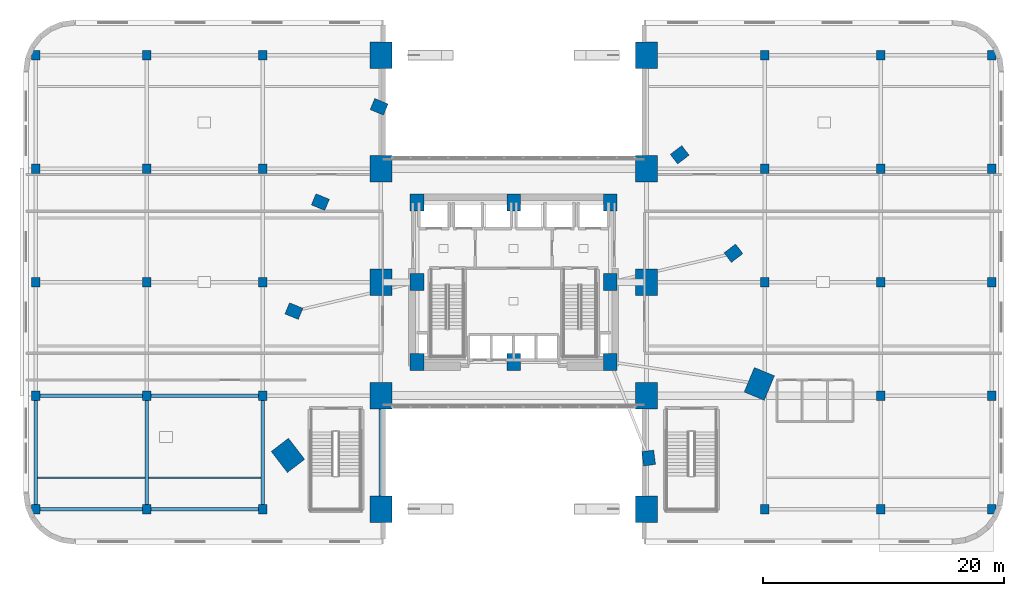
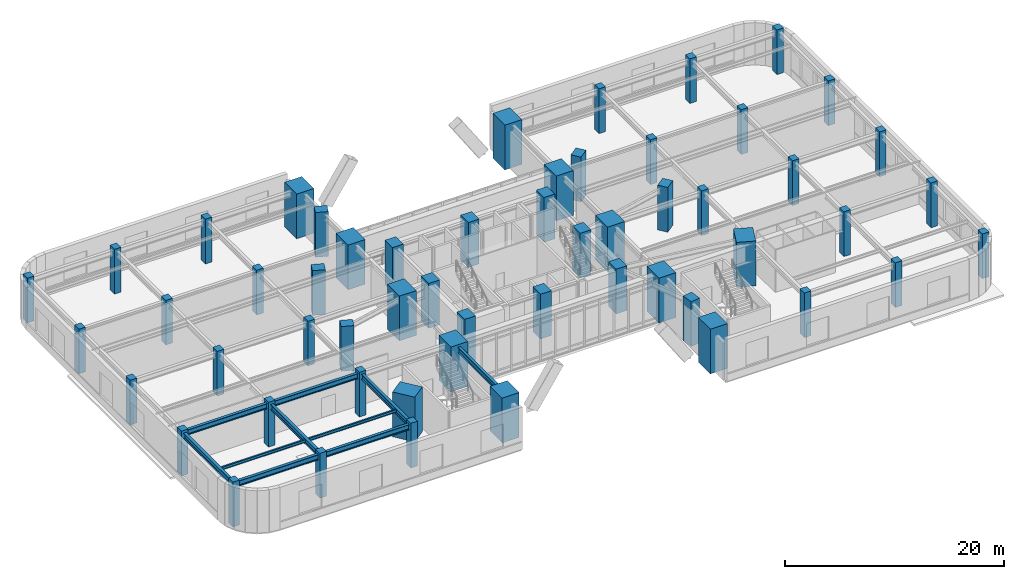
# One storey, part 1 of 26: 55 columns, 10 beams.
"""IFC4 building model written with IfcOpenShell, lengths in metres."""

from ifc_helpers import new_model, si_unit, direction, frame, origin, origin_2d, place, context, subcontext, project, spatial, rectangle, i_section, extrude, material, material_profile, profile_set, type_object, element, save


model = new_model("IFC4")

# Units and contexts
model_context = context("Model", 3, precision=1e-05, world=origin(), true_north=direction((0.0, 1.0)))
body_context = subcontext(model_context, "Body", "Model", "MODEL_VIEW")
ifc_project = project(units=[si_unit("LENGTHUNIT", "METRE"), si_unit("AREAUNIT", "SQUARE_METRE"), si_unit("VOLUMEUNIT", "CUBIC_METRE"), si_unit("PLANEANGLEUNIT", "RADIAN"), si_unit("MASSUNIT", "GRAM", prefix="KILO")], contexts=[model_context])

# Site, building, storey
site_placement = place(None, origin())
site = spatial("IfcSite", under=ifc_project, at=site_placement, CompositionType="ELEMENT")
building_placement = place(site_placement, origin())
building = spatial("IfcBuilding", under=site, at=building_placement, Name="Ndelora Gate Hotel", CompositionType="ELEMENT")
storey_placement = place(building_placement, frame((0.0, 0.0, 6.0)))
storey = spatial("IfcBuildingStorey", under=building, at=storey_placement, Name="L01", CompositionType="ELEMENT", Elevation=6.0)

# Columns
ifc_material_1 = material(Name="Concrete C60/75", Category="concrete")
ifc_material_profile_1 = material_profile(ifc_material_1, rectangle(XDim=1.800048828125, YDim=2.199951171875, at=origin_2d()), Name="RC 2200x1800")
ifc_profile_set_1 = profile_set([ifc_material_profile_1], Name="Concrete C60/75")
column_type_1 = type_object("IfcColumnType", Name="COL-ARCH-PIER", PredefinedType="COLUMN", material=ifc_profile_set_1)
for number, where, z_axis, x_axis, name in (
    (1, (-11.0, -18.800048828125, 0.0), (0.0, 0.0, 1.0), (1.0, 0.0, 0.0), "L01 Podium Column PC-04-01"),
    (2, (-11.0, -9.39990234375, 0.0), (0.0, 0.0, 1.0), (1.0, 0.0, 0.0), "L01 Podium Column PC-04-02"),
    (3, (-11.0, 0.0, 0.0), (0.0, 0.0, 1.0), (1.0, 0.0, 0.0), "L01 Podium Column PC-04-03"),
    (4, (-11.0, 9.39990234375, 0.0), (0.0, 0.0, 1.0), (1.0, 0.0, 0.0), "L01 Podium Column PC-04-04"),
    (5, (-11.0, 18.800048828125, 0.0), (0.0, 0.0, 1.0), (1.0, 0.0, 0.0), "L01 Podium Column PC-04-05"),
    (6, (11.0, -18.800048828125, 0.0), (0.0, 0.0, 1.0), (1.0, 0.0, 0.0), "L01 Podium Column PC-05-01"),
    (7, (11.0, -9.39990234375, 0.0), (0.0, 0.0, 1.0), (1.0, 0.0, 0.0), "L01 Podium Column PC-05-02"),
    (8, (11.0, 0.0, 0.0), (0.0, 0.0, 1.0), (1.0, 0.0, 0.0), "L01 Podium Column PC-05-03"),
    (9, (11.0, 9.39990234375, 0.0), (0.0, 0.0, 1.0), (1.0, 0.0, 0.0), "L01 Podium Column PC-05-04"),
    (10, (11.0, 18.800048828125, 0.0), (0.0, 0.0, 1.0), (1.0, 0.0, 0.0), "L01 Podium Column PC-05-05"),
):
    element("IfcColumn", number, at=place(storey_placement, frame(where, z_axis=z_axis, x_axis=x_axis)), inside=storey, type_object=column_type_1, Name=name, PredefinedType="COLUMN", context=body_context, shape_type="SweptSolid", body=[
        extrude(rectangle(XDim=1.800048828125, YDim=2.199951171875, at=origin_2d()), origin(), (0.0, 0.0, 1.0), 5.0),
    ])
ifc_material_profile_2 = material_profile(ifc_material_1, rectangle(XDim=1.14990234375, YDim=1.39990234375, at=origin_2d()), Name="RC 1400x1150")
ifc_profile_set_2 = profile_set([ifc_material_profile_2], Name="Concrete C60/75")
column_type_2 = type_object("IfcColumnType", Name="COL-CC-LOW", PredefinedType="COLUMN", material=ifc_profile_set_2)
for number, where, z_axis, x_axis, name in (
    (11, (-8.0, -6.60009765625, 0.0), (0.0, 0.0, 1.0), (1.0, 0.0, 0.0), "L01 Core Column CC1"),
    (12, (0.0, -6.60009765625, 0.0), (0.0, 0.0, 1.0), (1.0, 0.0, 0.0), "L01 Core Column CC2"),
    (13, (8.0, -6.60009765625, 0.0), (0.0, 0.0, 1.0), (1.0, 0.0, 0.0), "L01 Core Column CC3"),
    (14, (8.0, 0.0, 0.0), (0.0, 0.0, 1.0), (1.0, 0.0, 0.0), "L01 Core Column CC4"),
    (15, (8.0, 6.60009765625, 0.0), (0.0, 0.0, 1.0), (1.0, 0.0, 0.0), "L01 Core Column CC5"),
    (16, (0.0, 6.60009765625, 0.0), (0.0, 0.0, 1.0), (1.0, 0.0, 0.0), "L01 Core Column CC6"),
    (17, (-8.0, 6.60009765625, 0.0), (0.0, 0.0, 1.0), (1.0, 0.0, 0.0), "L01 Core Column CC7"),
    (18, (-8.0, 0.0, 0.0), (0.0, 0.0, 1.0), (1.0, 0.0, 0.0), "L01 Core Column CC8"),
):
    element("IfcColumn", number, at=place(storey_placement, frame(where, z_axis=z_axis, x_axis=x_axis)), inside=storey, type_object=column_type_2, Name=name, PredefinedType="COLUMN", context=body_context, shape_type="SweptSolid", body=[
        extrude(rectangle(XDim=1.14990234375, YDim=1.39990234375, at=origin_2d()), origin(), (0.0, 0.0, 1.0), 5.0),
    ])
ifc_material_profile_3 = material_profile(ifc_material_1, rectangle(XDim=1.800048828125, YDim=2.199951171875, at=origin_2d()), Name="RC 2200x1800")
ifc_profile_set_3 = profile_set([ifc_material_profile_3], Name="Concrete C60/75")
column_type_3 = type_object("IfcColumnType", Name="COL-MC-Z1", PredefinedType="COLUMN", material=ifc_profile_set_3)
for number, where, z_axis, x_axis, name in (
    (19, (-18.701904296875, -14.3505859375, 0.0), (0.0, 0.0, 1.0), (0.793353340291, 0.608761429009, 0.0), "L01 Tower Plumb Root Column R5"),
    (20, (20.35009765625, -8.42919921875, 0.0), (0.0, 0.0, 1.0), (-0.923879532511, 0.382683432365, 0.0), "L01 Tower Plumb Root Column R9"),
):
    element("IfcColumn", number, at=place(storey_placement, frame(where, z_axis=z_axis, x_axis=x_axis)), inside=storey, type_object=column_type_3, Name=name, PredefinedType="COLUMN", context=body_context, shape_type="SweptSolid", body=[
        extrude(rectangle(XDim=1.800048828125, YDim=2.199951171875, at=origin_2d()), origin(), (0.0, 0.0, 1.0), 5.0),
    ])
ifc_material_2 = material(Name="Concrete C50/60", Category="concrete")
ifc_material_profile_4 = material_profile(ifc_material_2, rectangle(XDim=0.699951171875, YDim=0.800048828125, at=origin_2d()), Name="RC 800x700")
ifc_profile_set_4 = profile_set([ifc_material_profile_4], Name="Concrete C50/60")
column_type_4 = type_object("IfcColumnType", Name="COL-POD-UP", PredefinedType="COLUMN", material=ifc_profile_set_4)
for number, where, z_axis, x_axis, name in (
    (21, (-39.60009765625, -18.800048828125, 0.0), (0.0, 0.0, 1.0), (1.0, 0.0, 0.0), "L01 Podium Column PC-01-01"),
    (22, (-39.60009765625, -9.39990234375, 0.0), (0.0, 0.0, 1.0), (1.0, 0.0, 0.0), "L01 Podium Column PC-01-02"),
    (23, (-39.60009765625, 0.0, 0.0), (0.0, 0.0, 1.0), (1.0, 0.0, 0.0), "L01 Podium Column PC-01-03"),
    (24, (-39.60009765625, 9.39990234375, 0.0), (0.0, 0.0, 1.0), (1.0, 0.0, 0.0), "L01 Podium Column PC-01-04"),
    (25, (-39.60009765625, 18.800048828125, 0.0), (0.0, 0.0, 1.0), (1.0, 0.0, 0.0), "L01 Podium Column PC-01-05"),
    (26, (-30.39990234375, -18.800048828125, 0.0), (0.0, 0.0, 1.0), (1.0, 0.0, 0.0), "L01 Podium Column PC-02-01"),
    (27, (-30.39990234375, -9.39990234375, 0.0), (0.0, 0.0, 1.0), (1.0, 0.0, 0.0), "L01 Podium Column PC-02-02"),
    (28, (-30.39990234375, 0.0, 0.0), (0.0, 0.0, 1.0), (1.0, 0.0, 0.0), "L01 Podium Column PC-02-03"),
    (29, (-30.39990234375, 9.39990234375, 0.0), (0.0, 0.0, 1.0), (1.0, 0.0, 0.0), "L01 Podium Column PC-02-04"),
    (30, (-30.39990234375, 18.800048828125, 0.0), (0.0, 0.0, 1.0), (1.0, 0.0, 0.0), "L01 Podium Column PC-02-05"),
    (31, (-20.800048828125, -18.800048828125, 0.0), (0.0, 0.0, 1.0), (1.0, 0.0, 0.0), "L01 Podium Column PC-03-01"),
    (32, (-20.800048828125, -9.39990234375, 0.0), (0.0, 0.0, 1.0), (1.0, 0.0, 0.0), "L01 Podium Column PC-03-02"),
    (33, (-20.800048828125, 0.0, 0.0), (0.0, 0.0, 1.0), (1.0, 0.0, 0.0), "L01 Podium Column PC-03-03"),
    (34, (-20.800048828125, 9.39990234375, 0.0), (0.0, 0.0, 1.0), (1.0, 0.0, 0.0), "L01 Podium Column PC-03-04"),
    (35, (-20.800048828125, 18.800048828125, 0.0), (0.0, 0.0, 1.0), (1.0, 0.0, 0.0), "L01 Podium Column PC-03-05"),
    (36, (20.800048828125, -18.800048828125, 0.0), (0.0, 0.0, 1.0), (1.0, 0.0, 0.0), "L01 Podium Column PC-06-01"),
    (37, (20.800048828125, 0.0, 0.0), (0.0, 0.0, 1.0), (1.0, 0.0, 0.0), "L01 Podium Column PC-06-03"),
    (38, (20.800048828125, 9.39990234375, 0.0), (0.0, 0.0, 1.0), (1.0, 0.0, 0.0), "L01 Podium Column PC-06-04"),
    (39, (20.800048828125, 18.800048828125, 0.0), (0.0, 0.0, 1.0), (1.0, 0.0, 0.0), "L01 Podium Column PC-06-05"),
    (40, (30.39990234375, -18.800048828125, 0.0), (0.0, 0.0, 1.0), (1.0, 0.0, 0.0), "L01 Podium Column PC-07-01"),
    (41, (30.39990234375, -9.39990234375, 0.0), (0.0, 0.0, 1.0), (1.0, 0.0, 0.0), "L01 Podium Column PC-07-02"),
    (42, (30.39990234375, 0.0, 0.0), (0.0, 0.0, 1.0), (1.0, 0.0, 0.0), "L01 Podium Column PC-07-03"),
    (43, (30.39990234375, 9.39990234375, 0.0), (0.0, 0.0, 1.0), (1.0, 0.0, 0.0), "L01 Podium Column PC-07-04"),
    (44, (30.39990234375, 18.800048828125, 0.0), (0.0, 0.0, 1.0), (1.0, 0.0, 0.0), "L01 Podium Column PC-07-05"),
    (45, (39.60009765625, -18.800048828125, 0.0), (0.0, 0.0, 1.0), (1.0, 0.0, 0.0), "L01 Podium Column PC-08-01"),
    (46, (39.60009765625, -9.39990234375, 0.0), (0.0, 0.0, 1.0), (1.0, 0.0, 0.0), "L01 Podium Column PC-08-02"),
    (47, (39.60009765625, 0.0, 0.0), (0.0, 0.0, 1.0), (1.0, 0.0, 0.0), "L01 Podium Column PC-08-03"),
    (48, (39.60009765625, 9.39990234375, 0.0), (0.0, 0.0, 1.0), (1.0, 0.0, 0.0), "L01 Podium Column PC-08-04"),
    (49, (39.60009765625, 18.800048828125, 0.0), (0.0, 0.0, 1.0), (1.0, 0.0, 0.0), "L01 Podium Column PC-08-05"),
):
    element("IfcColumn", number, at=place(storey_placement, frame(where, z_axis=z_axis, x_axis=x_axis)), inside=storey, type_object=column_type_4, Name=name, PredefinedType="COLUMN", context=body_context, shape_type="SweptSolid", body=[
        extrude(rectangle(XDim=0.699951171875, YDim=0.800048828125, at=origin_2d()), origin(), (0.0, 0.0, 1.0), 5.0),
    ])
ifc_material_profile_5 = material_profile(ifc_material_1, rectangle(XDim=1.0, YDim=1.199951171875, at=origin_2d()), Name="RC 1200x1000")
ifc_profile_set_5 = profile_set([ifc_material_profile_5], Name="Concrete C60/75")
column_type_5 = type_object("IfcColumnType", Name="COL-PT-Z1", PredefinedType="COLUMN", material=ifc_profile_set_5)
for number, where, z_axis, x_axis, name in (
    (50, (-11.1484375, 14.529052734375, 0.0), (0.0, 0.0, 1.0), (0.382683432365, 0.923879532511, 0.0), "L01 Tower Plumb Root Column R2"),
    (51, (-16.016845703125, 6.634521484375, 0.0), (0.0, 0.0, 1.0), (0.382683432365, 0.923879532511, 0.0), "L01 Tower Plumb Root Column R3"),
    (52, (-18.207275390625, -2.39697265625, 0.0), (0.0, 0.0, 1.0), (0.382683432365, 0.923879532511, 0.0), "L01 Tower Plumb Root Column R4"),
    (53, (11.179443359375, -14.5693359375, 0.0), (0.0, 0.0, 1.0), (0.991444861374, 0.13052619222, 0.0), "L01 Tower Plumb Root Column R8"),
    (54, (18.207275390625, 2.39697265625, 0.0), (0.0, 0.0, 1.0), (-0.608761429009, 0.793353340291, 0.0), "L01 Tower Plumb Root Column R10"),
    (55, (13.75390625, 10.5537109375, 0.0), (0.0, 0.0, 1.0), (-0.608761429009, 0.793353340291, 0.0), "L01 Tower Plumb Root Column R11"),
):
    element("IfcColumn", number, at=place(storey_placement, frame(where, z_axis=z_axis, x_axis=x_axis)), inside=storey, type_object=column_type_5, Name=name, PredefinedType="COLUMN", context=body_context, shape_type="SweptSolid", body=[
        extrude(rectangle(XDim=1.0, YDim=1.199951171875, at=origin_2d()), origin(), (0.0, 0.0, 1.0), 5.0),
    ])

# Beams
ifc_material_3 = material(Name="Steel S355", Category="steel")
ifc_material_profile_6 = material_profile(ifc_material_3, i_section(OverallWidth=0.159912109375, OverallDepth=0.330078125, WebThickness=0.007568359375, FlangeThickness=0.011474609375, FilletRadius=0.01806640625, at=origin_2d()), Name="IPE 330")
ifc_profile_set_6 = profile_set([ifc_material_profile_6], Name="Steel S355")
beam_type_1 = type_object("IfcBeamType", Name="BM-JST-330", PredefinedType="JOIST", material=ifc_profile_set_6)
beam_1_placement = place(storey_placement, frame((-39.449951171875, -16.199951171875, 4.554931640625), z_axis=(1.0, 0.0, 0.0), x_axis=(0.0, 1.0, 0.0)))
element("IfcBeam", 56, at=beam_1_placement, inside=storey, type_object=beam_type_1, Name="L01 Podium Composite Secondary Joist 1", PredefinedType="JOIST", context=body_context, shape_type="SweptSolid", body=[
    extrude(i_section(OverallWidth=0.159912109375, OverallDepth=0.330078125, WebThickness=0.007568359375, FlangeThickness=0.011474609375, FilletRadius=0.01806640625, at=origin_2d()), origin(), (0.0, 0.0, 1.0), 8.89990234375),
])
beam_2_placement = place(storey_placement, frame((-30.25, -16.199951171875, 4.554931640625), z_axis=(1.0, 0.0, 0.0), x_axis=(0.0, 1.0, 0.0)))
element("IfcBeam", 57, at=beam_2_placement, inside=storey, type_object=beam_type_1, Name="L01 Podium Composite Secondary Joist 2", PredefinedType="JOIST", context=body_context, shape_type="SweptSolid", body=[
    extrude(i_section(OverallWidth=0.159912109375, OverallDepth=0.330078125, WebThickness=0.007568359375, FlangeThickness=0.011474609375, FilletRadius=0.01806640625, at=origin_2d()), origin(), (0.0, 0.0, 1.0), 9.300048828125),
])
ifc_material_profile_7 = material_profile(ifc_material_3, i_section(OverallWidth=0.300048828125, OverallDepth=0.60009765625, WebThickness=0.015380859375, FlangeThickness=0.030029296875, FilletRadius=0.027099609375, at=origin_2d()), Name="HEB 600")
ifc_profile_set_7 = profile_set([ifc_material_profile_7], Name="Steel S355")
beam_type_2 = type_object("IfcBeamType", Name="BM-POD-600", PredefinedType="BEAM", material=ifc_profile_set_7)
for number, where, z_axis, x_axis, name in (
    (58, (-39.60009765625, -18.800048828125, 4.419921875), (0.0, 1.0, 0.0), (-1.0, 0.0, 0.0), "L01 Podium Longitudinal Girder X=-39.6"),
    (59, (-30.39990234375, -18.800048828125, 4.419921875), (0.0, 1.0, 0.0), (-1.0, 0.0, 0.0), "L01 Podium Longitudinal Girder X=-30.4"),
    (60, (-20.800048828125, -18.800048828125, 4.419921875), (0.0, 1.0, 0.0), (-1.0, 0.0, 0.0), "L01 Podium Longitudinal Girder X=-20.8"),
    (61, (-11.0, -18.800048828125, 4.419921875), (0.0, 1.0, 0.0), (-1.0, 0.0, 0.0), "L01 Podium Longitudinal Girder X=-11.0"),
):
    element("IfcBeam", number, at=place(storey_placement, frame(where, z_axis=z_axis, x_axis=x_axis)), inside=storey, type_object=beam_type_2, Name=name, PredefinedType="BEAM", context=body_context, shape_type="SweptSolid", body=[
        extrude(i_section(OverallWidth=0.300048828125, OverallDepth=0.60009765625, WebThickness=0.015380859375, FlangeThickness=0.030029296875, FilletRadius=0.027099609375, at=origin_2d()), origin(), (0.0, 0.0, 1.0), 9.400146484375),
    ])
beam_3_placement = place(storey_placement, frame((-39.60009765625, -18.800048828125, 4.419921875), z_axis=(1.0, 0.0, 0.0), x_axis=(0.0, 1.0, 0.0)))
element("IfcBeam", 62, at=beam_3_placement, inside=storey, type_object=beam_type_2, Name="L01 Podium Transverse Girder Y=-18.8", PredefinedType="BEAM", context=body_context, shape_type="SweptSolid", body=[
    extrude(i_section(OverallWidth=0.300048828125, OverallDepth=0.60009765625, WebThickness=0.015380859375, FlangeThickness=0.030029296875, FilletRadius=0.027099609375, at=origin_2d()), origin(), (0.0, 0.0, 1.0), 9.2001953125),
])
beam_4_placement = place(storey_placement, frame((-30.39990234375, -18.800048828125, 4.419921875), z_axis=(1.0, 0.0, 0.0), x_axis=(0.0, 1.0, 0.0)))
element("IfcBeam", 63, at=beam_4_placement, inside=storey, type_object=beam_type_2, Name="L01 Podium Transverse Girder Y=-18.8", PredefinedType="BEAM", context=body_context, shape_type="SweptSolid", body=[
    extrude(i_section(OverallWidth=0.300048828125, OverallDepth=0.60009765625, WebThickness=0.015380859375, FlangeThickness=0.030029296875, FilletRadius=0.027099609375, at=origin_2d()), origin(), (0.0, 0.0, 1.0), 9.599853515625),
])
beam_5_placement = place(storey_placement, frame((-39.60009765625, -9.39990234375, 4.419921875), z_axis=(1.0, 0.0, 0.0), x_axis=(0.0, 1.0, 0.0)))
element("IfcBeam", 64, at=beam_5_placement, inside=storey, type_object=beam_type_2, Name="L01 Podium Transverse Girder Y=-9.4", PredefinedType="BEAM", context=body_context, shape_type="SweptSolid", body=[
    extrude(i_section(OverallWidth=0.300048828125, OverallDepth=0.60009765625, WebThickness=0.015380859375, FlangeThickness=0.030029296875, FilletRadius=0.027099609375, at=origin_2d()), origin(), (0.0, 0.0, 1.0), 9.2001953125),
])
beam_6_placement = place(storey_placement, frame((-30.39990234375, -9.39990234375, 4.419921875), z_axis=(1.0, 0.0, 0.0), x_axis=(0.0, 1.0, 0.0)))
element("IfcBeam", 65, at=beam_6_placement, inside=storey, type_object=beam_type_2, Name="L01 Podium Transverse Girder Y=-9.4", PredefinedType="BEAM", context=body_context, shape_type="SweptSolid", body=[
    extrude(i_section(OverallWidth=0.300048828125, OverallDepth=0.60009765625, WebThickness=0.015380859375, FlangeThickness=0.030029296875, FilletRadius=0.027099609375, at=origin_2d()), origin(), (0.0, 0.0, 1.0), 9.599853515625),
])

save(model, "model.ifc")
